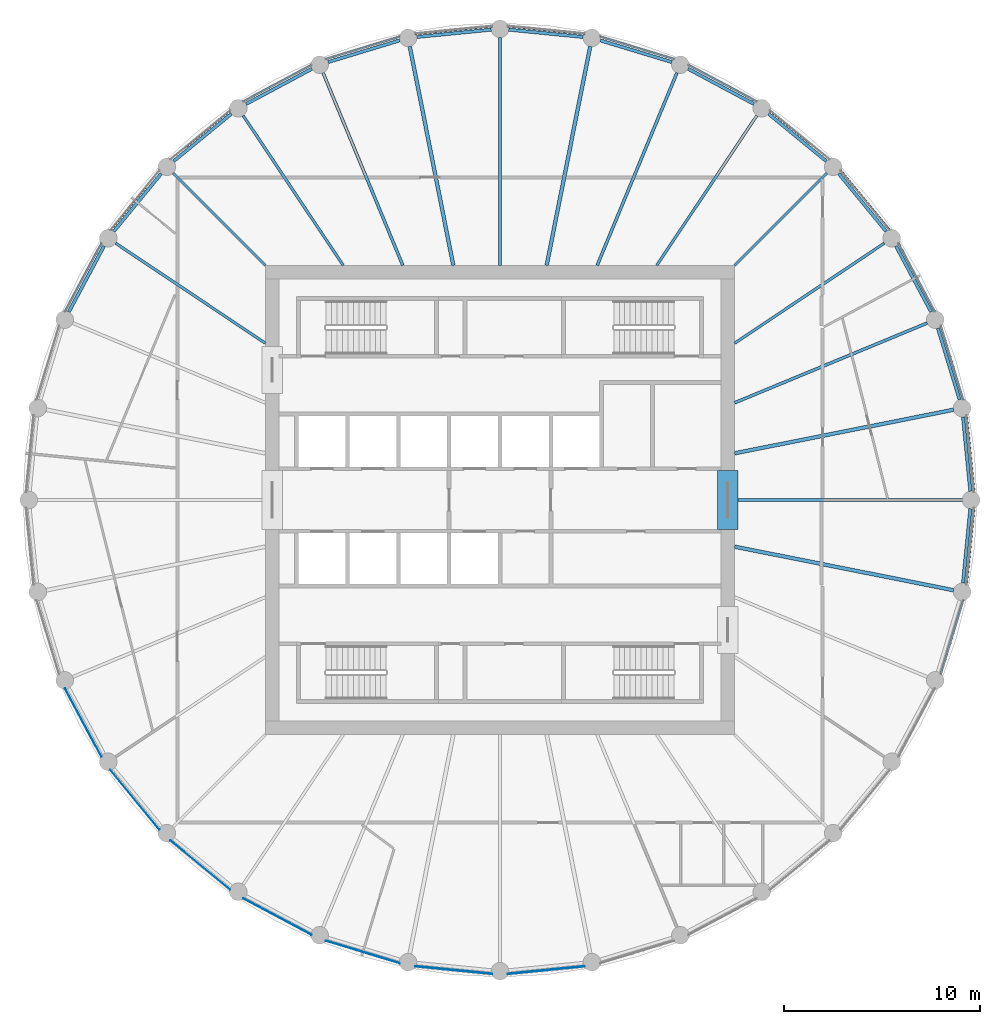
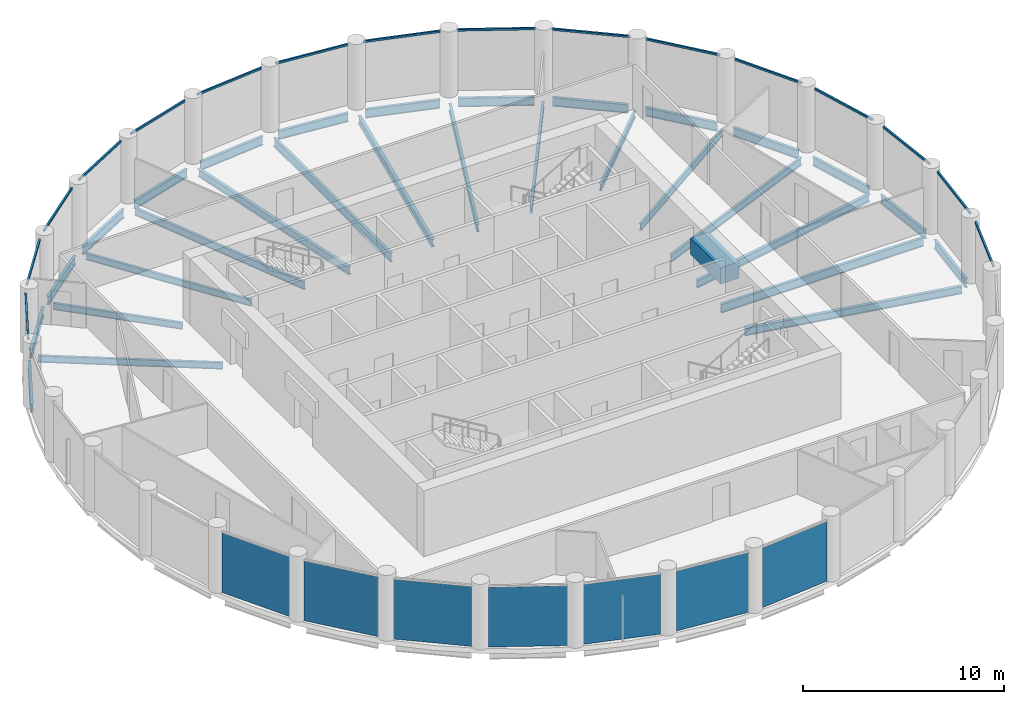
# One storey, part 2 of 7: 31 beams, 16 members, 7 plates, 23 elements without a shape of their own.
"""IFC4 building model written with IfcOpenShell, lengths in metres."""

import ifcopenshell
import ifcopenshell.guid

model = None  # the IFC model being written
_history = None  # IfcOwnerHistory: only IFC2X3 demands one
_inside = {}  # id of a spatial element -> (the spatial element, [elements in it])
_under = {}  # id of a project, library or spatial element -> (it, [spatial elements below it])
_declared = {}  # id of a project -> (the project, [libraries it declares])
_typed = {}  # id of a type object -> (the type object, [elements of that type])
_made_of = {}  # id of a material, layer set ... -> (it, [elements and type objects made of it])


def new_model(schema):
    """Start an empty IFC model of exactly this schema.

    Asked for "IFC4X3", IfcOpenShell would pick the latest addendum, in which some entities
    have other attributes; the version numbers below select the first issue.
    IFC2X3 requires an IfcOwnerHistory on every rooted entity: one is made here for all.
    """
    global model, _history
    if schema == "IFC4X3":
        model = ifcopenshell.file(schema_version=(4, 3, 0, 0))
    else:
        model = ifcopenshell.file(schema=schema)
    _inside.clear()
    _under.clear()
    _declared.clear()
    _typed.clear()
    _made_of.clear()
    _history = None
    if model.schema == "IFC2X3":
        org = make("IfcOrganization", Name="unknown")
        user = make(
            "IfcPersonAndOrganization",
            ThePerson=make("IfcPerson", FamilyName="unknown"),
            TheOrganization=org,
        )
        app = make(
            "IfcApplication",
            ApplicationDeveloper=org,
            Version="unknown",
            ApplicationFullName="unknown",
            ApplicationIdentifier="unknown",
        )
        _history = make(
            "IfcOwnerHistory",
            OwningUser=user,
            OwningApplication=app,
            ChangeAction="ADDED",
            CreationDate=0,
        )
    return model


def make(cls, **values):
    """One entity of the class cls with the attributes given. An attribute that is None is left unset."""
    return model.create_entity(
        cls, **{name: value for name, value in values.items() if value is not None}
    )


def rooted(cls, **values):
    """An entity with a GlobalId (a new one), such as an element, a storey or a relation."""
    return make(cls, GlobalId=ifcopenshell.guid.new(), OwnerHistory=_history, **values)


def si_unit(unit_type, name, prefix=None):
    """IfcSIUnit, for example si_unit("LENGTHUNIT", "METRE", prefix="MILLI")."""
    return make("IfcSIUnit", UnitType=unit_type, Prefix=prefix, Name=name)


def assignment(units):
    """IfcUnitAssignment: the units of a project."""
    return None if units is None else make("IfcUnitAssignment", Units=units)


def point(xyz):
    """IfcCartesianPoint."""
    return None if xyz is None else make("IfcCartesianPoint", Coordinates=xyz)


def direction(xyz):
    """IfcDirection."""
    return None if xyz is None else make("IfcDirection", DirectionRatios=xyz)


def frame(location, z_axis=None, x_axis=None):
    """IfcAxis2Placement3D, a coordinate frame: its origin and axes. An axis left out is left unset."""
    return make(
        "IfcAxis2Placement3D",
        Location=point(location),
        Axis=direction(z_axis),
        RefDirection=direction(x_axis),
    )


def frame_2d(location, x_axis=None):
    """IfcAxis2Placement2D, a coordinate frame in the plane: its origin and x axis."""
    return make(
        "IfcAxis2Placement2D", Location=point(location), RefDirection=direction(x_axis)
    )


def origin():
    """The frame at (0, 0, 0) with its axes left unset."""
    return frame((0.0, 0.0, 0.0))


def origin_2d():
    """The frame at (0, 0) in the plane with its x axis left unset."""
    return frame_2d((0.0, 0.0))


def place(relative_to, where):
    """IfcLocalPlacement: puts the frame where relative to a parent placement (None: the world)."""
    return make(
        "IfcLocalPlacement", PlacementRelTo=relative_to, RelativePlacement=where
    )


def context(
    kind, dimensions, precision=None, world=None, true_north=None, identifier=None
):
    """IfcGeometricRepresentationContext, for example the 3D "Model" context."""
    return make(
        "IfcGeometricRepresentationContext",
        ContextIdentifier=identifier,
        ContextType=kind,
        CoordinateSpaceDimension=dimensions,
        Precision=precision,
        WorldCoordinateSystem=world,
        TrueNorth=true_north,
    )


def subcontext(parent, identifier, kind, view, scale=None):
    """IfcGeometricRepresentationSubContext, for example "Body" below "Model"."""
    return make(
        "IfcGeometricRepresentationSubContext",
        ContextIdentifier=identifier,
        ContextType=kind,
        ParentContext=parent,
        TargetScale=scale,
        TargetView=view,
    )


def project(units=None, contexts=None):
    """IfcProject with its units and contexts."""
    return rooted(
        "IfcProject",
        Name="project",
        RepresentationContexts=contexts,
        UnitsInContext=assignment(units),
    )


def spatial(cls, under=None, at=None, **own):
    """A site, building, storey or space (cls), placed at a placement, below another one or the project."""
    s = rooted(cls, ObjectPlacement=at, **own)
    if under is not None:
        _under.setdefault(under.id(), (under, []))[1].append(s)
    return s


def profile(cls, at=None, kind="AREA", **sizes):
    """A parametric profile (cls). Its sizes go by their IFC names, for example OverallWidth=200.0."""
    return make(cls, ProfileType=kind, Position=at, **sizes)


def rectangle(**sizes):
    """IfcRectangleProfileDef."""
    return profile("IfcRectangleProfileDef", **sizes)


def i_section(**sizes):
    """IfcIShapeProfileDef."""
    return profile("IfcIShapeProfileDef", **sizes)


def extrude(swept, where, along, depth):
    """IfcExtrudedAreaSolid: the profile swept, set in the frame where, extruded along a direction by depth."""
    return make(
        "IfcExtrudedAreaSolid",
        SweptArea=swept,
        Position=where,
        ExtrudedDirection=direction(along),
        Depth=depth,
    )


def shape(context_of_items, identifier, shape_type, items):
    """IfcShapeRepresentation: the items that make up one representation, for example the "Body"."""
    return make(
        "IfcShapeRepresentation",
        ContextOfItems=context_of_items,
        RepresentationIdentifier=identifier,
        RepresentationType=shape_type,
        Items=items,
    )


def material(Name=None, Category=None):
    """IfcMaterial."""
    return make("IfcMaterial", Name=Name, Category=Category)


def layer(
    of_material, thickness, ventilated=None, Name=None, Category=None, Priority=None
):
    """IfcMaterialLayer: one layer of a wall or slab, of a material (None: an air gap)."""
    return make(
        "IfcMaterialLayer",
        Material=of_material,
        LayerThickness=thickness,
        IsVentilated=ventilated,
        Name=Name,
        Category=Category,
        Priority=Priority,
    )


def layer_set(layers, Name=None):
    """IfcMaterialLayerSet."""
    return make("IfcMaterialLayerSet", MaterialLayers=layers, LayerSetName=Name)


def material_profile(
    of_material, cross_section, Name=None, Category=None, Priority=None
):
    """IfcMaterialProfile: a cross section and its material."""
    return make(
        "IfcMaterialProfile",
        Name=Name,
        Material=of_material,
        Profile=cross_section,
        Priority=Priority,
        Category=Category,
    )


def profile_set(profiles, Name=None, composite=None):
    """IfcMaterialProfileSet."""
    return make(
        "IfcMaterialProfileSet",
        Name=Name,
        MaterialProfiles=profiles,
        CompositeProfile=composite,
    )


def made_of(thing, what):
    """Note that an element or type object is made of a material, layer set ...; save() writes the relation."""
    if what is not None:
        _made_of.setdefault(what.id(), (what, []))[1].append(thing)
    return thing


def type_object(cls, material=None, **own):
    """A type object (cls), such as IfcWallType, which elements share."""
    return made_of(rooted(cls, **own), material)


def element(
    cls,
    number,
    at=None,
    inside=None,
    cuts=None,
    type_object=None,
    material=None,
    context=None,
    identifier="Body",
    shape_type=None,
    held_by="IfcProductDefinitionShape",
    body=None,
    shapes=None,
    **own,
):
    """One element of the class cls, such as IfcWall. Its Tag is "e" and its number.

    at: its placement. inside: the storey or other place that contains it. cuts: it is an
    opening in that element (IfcRelVoidsElement). A single representation is given by context,
    identifier, shape_type and body (its items); several are given by shapes. held_by: the class
    of the entity that holds the representations. save() writes the other relations.
    """
    e = rooted(cls, Tag="e%d" % number, ObjectPlacement=at, **own)
    if body is not None:
        shapes = [shape(context, identifier, shape_type, body)]
    if shapes is not None:
        e.Representation = make(held_by, Representations=shapes)
    if inside is not None:
        _inside.setdefault(inside.id(), (inside, []))[1].append(e)
    if cuts is not None:
        rooted(
            "IfcRelVoidsElement", RelatingBuildingElement=cuts, RelatedOpeningElement=e
        )
    if type_object is not None:
        _typed.setdefault(type_object.id(), (type_object, []))[1].append(e)
    return made_of(e, material)


def aggregate(whole, parts):
    """IfcRelAggregates: a whole, such as a stair, and the parts it consists of."""
    return rooted("IfcRelAggregates", RelatingObject=whole, RelatedObjects=parts)


def save(model, path):
    """Write the relations noted so far, then the file.

    IfcRelAggregates (storeys below a building ...), IfcRelContainedInSpatialStructure (elements
    in a storey), IfcRelDefinesByType, IfcRelAssociatesMaterial and IfcRelDeclares: one each for
    every whole, place, type object, material and project.
    """
    for whole, parts in _under.values():
        aggregate(whole, parts)
    for where, things in _inside.values():
        rooted(
            "IfcRelContainedInSpatialStructure",
            RelatedElements=things,
            RelatingStructure=where,
        )
    for kind, things in _typed.values():
        rooted("IfcRelDefinesByType", RelatedObjects=things, RelatingType=kind)
    for what, things in _made_of.values():
        rooted("IfcRelAssociatesMaterial", RelatedObjects=things, RelatingMaterial=what)
    for by, libraries in _declared.values():
        rooted("IfcRelDeclares", RelatingContext=by, RelatedDefinitions=libraries)
    model.write(path)


model = new_model("IFC4")

# Units and contexts
model_context = context("Model", 3, precision=1e-05, world=origin(), true_north=direction((0.0, 1.0)))
body_context = subcontext(model_context, "Body", "Model", "MODEL_VIEW")
ifc_project = project(units=[si_unit("LENGTHUNIT", "METRE"), si_unit("AREAUNIT", "SQUARE_METRE"), si_unit("VOLUMEUNIT", "CUBIC_METRE"), si_unit("PLANEANGLEUNIT", "RADIAN"), si_unit("MASSUNIT", "GRAM", prefix="KILO")], contexts=[model_context])

# Site, building, storey
site_placement = place(None, origin())
site = spatial("IfcSite", under=ifc_project, at=site_placement, CompositionType="ELEMENT")
building_placement = place(site_placement, origin())
building = spatial("IfcBuilding", under=site, at=building_placement, Name="Corvane Civic Tower", CompositionType="ELEMENT")
storey_placement = place(building_placement, frame((0.0, 0.0, 275.0)))
storey = spatial("IfcBuildingStorey", under=building, at=storey_placement, Name="L65", CompositionType="ELEMENT", Elevation=275.0)

# Beams
ifc_material_1 = material(Name="Concrete C40/50", Category="concrete")
ifc_material_profile_1 = material_profile(ifc_material_1, rectangle(XDim=1.050048828125, YDim=1.0, at=origin_2d()), Name="COUPLING BEAM 1050X1000")
ifc_profile_set_1 = profile_set([ifc_material_profile_1], Name="Concrete C40/50")
beam_type_1 = type_object("IfcBeamType", Name="COUPLING BEAM COUPLING BEAM 1050X1000", PredefinedType="BEAM", material=ifc_profile_set_1)
beam_1_placement = place(storey_placement, frame((11.64990234375, -1.5, 2.60009765625), z_axis=(0.0, 1.0, 0.0), x_axis=(-1.0, 0.0, 0.0)))
element("IfcBeam", 1, at=beam_1_placement, inside=storey, type_object=beam_type_1, Name="BM-L65-cpl-CW-LE", PredefinedType="BEAM", context=body_context, shape_type="SweptSolid", body=[
    extrude(rectangle(XDim=1.050048828125, YDim=1.0, at=origin_2d()), origin(), (0.0, 0.0, 1.0), 3.0),
])
ifc_material_2 = material(Name="Steel ASTM A992 Gr 50", Category="steel")
ifc_material_profile_2 = material_profile(ifc_material_2, i_section(OverallWidth=0.165771484375, OverallDepth=0.5283203125, WebThickness=0.009765625, FlangeThickness=0.013671875, at=origin_2d()), Name="W21X50")
ifc_profile_set_2 = profile_set([ifc_material_profile_2], Name="Steel ASTM A992 Gr 50")
beam_type_2 = type_object("IfcBeamType", Name="EDGE BEAM W21X50", PredefinedType="BEAM", material=ifc_profile_set_2)
for number, where, z_axis, x_axis, name in (
    (2, (0.44775390625, 24.055908203125, -0.564208984375), (0.995187721162, -0.097986732007, 0.0), (0.097986732007, 0.995187721162, 0.0), "BM-L65-E01"),
    (3, (5.13232421875, 23.50634765625, -0.564208984375), (0.95692555902, -0.290333385085, 0.0), (0.290333385085, 0.95692555902, 0.0), "BM-L65-E02"),
):
    element("IfcBeam", number, at=place(storey_placement, frame(where, z_axis=z_axis, x_axis=x_axis)), inside=storey, type_object=beam_type_2, Name=name, PredefinedType="BEAM", context=body_context, shape_type="SweptSolid", body=[
        extrude(i_section(OverallWidth=0.165771484375, OverallDepth=0.5283203125, WebThickness=0.009765625, FlangeThickness=0.013671875, at=origin_2d()), origin(), (0.0, 0.0, 1.0), 3.824462890625),
    ])
beam_2_placement = place(storey_placement, frame((9.61962890625, 22.05322265625, -0.564208984375), z_axis=(0.881914279413, -0.471409804487, 0.0), x_axis=(0.471409804487, 0.881914279413, 0.0)))
element("IfcBeam", 4, at=beam_2_placement, inside=storey, type_object=beam_type_2, Name="BM-L65-E03", PredefinedType="BEAM", context=body_context, shape_type="SweptSolid", body=[
    extrude(i_section(OverallWidth=0.165771484375, OverallDepth=0.5283203125, WebThickness=0.009765625, FlangeThickness=0.013671875, at=origin_2d()), origin(), (0.0, 0.0, 1.0), 3.82421875),
])
for number, where, z_axis, x_axis, name in (
    (5, (13.737060546875, 19.7529296875, -0.564208984375), (0.772997914867, -0.634408562057, 0.0), (0.634408562057, 0.772997914867, 0.0), "BM-L65-E04"),
    (6, (17.32666015625, 16.693359375, -0.564208984375), (0.634408562057, -0.772997914867, 0.0), (0.772997914867, 0.634408562057, 0.0), "BM-L65-E05"),
):
    element("IfcBeam", number, at=place(storey_placement, frame(where, z_axis=z_axis, x_axis=x_axis)), inside=storey, type_object=beam_type_2, Name=name, PredefinedType="BEAM", context=body_context, shape_type="SweptSolid", body=[
        extrude(i_section(OverallWidth=0.165771484375, OverallDepth=0.5283203125, WebThickness=0.009765625, FlangeThickness=0.013671875, at=origin_2d()), origin(), (0.0, 0.0, 1.0), 3.824462890625),
    ])
beam_3_placement = place(storey_placement, frame((20.25048828125, 12.9921875, -0.564208984375), z_axis=(0.471409804487, -0.881914279413, 0.0), x_axis=(0.881914279413, 0.471409804487, 0.0)))
element("IfcBeam", 7, at=beam_3_placement, inside=storey, type_object=beam_type_2, Name="BM-L65-E06", PredefinedType="BEAM", context=body_context, shape_type="SweptSolid", body=[
    extrude(i_section(OverallWidth=0.165771484375, OverallDepth=0.5283203125, WebThickness=0.009765625, FlangeThickness=0.013671875, at=origin_2d()), origin(), (0.0, 0.0, 1.0), 3.82421875),
])
for number, where, z_axis, x_axis, name in (
    (8, (22.39599609375, 8.7919921875, -0.564208984375), (0.290333385085, -0.95692555902, 0.0), (0.95692555902, 0.290333385085, 0.0), "BM-L65-E07"),
    (9, (23.68115234375, 4.25390625, -0.564208984375), (0.097986732007, -0.995187721162, 0.0), (0.995187721162, 0.097986732007, 0.0), "BM-L65-E08"),
    (10, (24.055908203125, -0.44775390625, -0.564208984375), (-0.097986732007, -0.995187721162, 0.0), (0.995187721162, -0.097986732007, 0.0), "BM-L65-E09"),
):
    element("IfcBeam", number, at=place(storey_placement, frame(where, z_axis=z_axis, x_axis=x_axis)), inside=storey, type_object=beam_type_2, Name=name, PredefinedType="BEAM", context=body_context, shape_type="SweptSolid", body=[
        extrude(i_section(OverallWidth=0.165771484375, OverallDepth=0.5283203125, WebThickness=0.009765625, FlangeThickness=0.013671875, at=origin_2d()), origin(), (0.0, 0.0, 1.0), 3.824462890625),
    ])
beam_4_placement = place(storey_placement, frame((-22.05322265625, 9.61962890625, -0.564208984375), z_axis=(0.471409804487, 0.881914279413, 0.0), x_axis=(-0.881914279413, 0.471409804487, 0.0)))
element("IfcBeam", 11, at=beam_4_placement, inside=storey, type_object=beam_type_2, Name="BM-L65-E27", PredefinedType="BEAM", context=body_context, shape_type="SweptSolid", body=[
    extrude(i_section(OverallWidth=0.165771484375, OverallDepth=0.5283203125, WebThickness=0.009765625, FlangeThickness=0.013671875, at=origin_2d()), origin(), (0.0, 0.0, 1.0), 3.82421875),
])
for number, where, z_axis, x_axis, name in (
    (12, (-19.7529296875, 13.737060546875, -0.564208984375), (0.634408562057, 0.772997914867, 0.0), (-0.772997914867, 0.634408562057, 0.0), "BM-L65-E28"),
    (13, (-16.693359375, 17.32666015625, -0.564208984375), (0.772997914867, 0.634408562057, 0.0), (-0.634408562057, 0.772997914867, 0.0), "BM-L65-E29"),
):
    element("IfcBeam", number, at=place(storey_placement, frame(where, z_axis=z_axis, x_axis=x_axis)), inside=storey, type_object=beam_type_2, Name=name, PredefinedType="BEAM", context=body_context, shape_type="SweptSolid", body=[
        extrude(i_section(OverallWidth=0.165771484375, OverallDepth=0.5283203125, WebThickness=0.009765625, FlangeThickness=0.013671875, at=origin_2d()), origin(), (0.0, 0.0, 1.0), 3.824462890625),
    ])
beam_5_placement = place(storey_placement, frame((-12.9921875, 20.25048828125, -0.564208984375), z_axis=(0.881914279413, 0.471409804487, 0.0), x_axis=(-0.471409804487, 0.881914279413, 0.0)))
element("IfcBeam", 14, at=beam_5_placement, inside=storey, type_object=beam_type_2, Name="BM-L65-E30", PredefinedType="BEAM", context=body_context, shape_type="SweptSolid", body=[
    extrude(i_section(OverallWidth=0.165771484375, OverallDepth=0.5283203125, WebThickness=0.009765625, FlangeThickness=0.013671875, at=origin_2d()), origin(), (0.0, 0.0, 1.0), 3.82421875),
])
for number, where, z_axis, x_axis, name in (
    (15, (-8.7919921875, 22.39599609375, -0.564208984375), (0.95692555902, 0.290333385085, 0.0), (-0.290333385085, 0.95692555902, 0.0), "BM-L65-E31"),
    (16, (-4.25390625, 23.68115234375, -0.564208984375), (0.995187721162, 0.097986732007, 0.0), (-0.097986732007, 0.995187721162, 0.0), "BM-L65-E32"),
):
    element("IfcBeam", number, at=place(storey_placement, frame(where, z_axis=z_axis, x_axis=x_axis)), inside=storey, type_object=beam_type_2, Name=name, PredefinedType="BEAM", context=body_context, shape_type="SweptSolid", body=[
        extrude(i_section(OverallWidth=0.165771484375, OverallDepth=0.5283203125, WebThickness=0.009765625, FlangeThickness=0.013671875, at=origin_2d()), origin(), (0.0, 0.0, 1.0), 3.824462890625),
    ])
ifc_material_3 = material(Name="Steel ASTM A992 Gr 50", Category="steel")
ifc_material_profile_3 = material_profile(ifc_material_3, i_section(OverallWidth=0.140380859375, OverallDepth=0.40380859375, WebThickness=0.007080078125, FlangeThickness=0.01123046875, at=origin_2d()), Name="W16X31")
ifc_profile_set_3 = profile_set([ifc_material_profile_3], Name="Steel ASTM A992 Gr 50")
beam_type_3 = type_object("IfcBeamType", Name="FLOOR GIRDER W16X31", PredefinedType="BEAM", material=ifc_profile_set_3)
beam_6_placement = place(storey_placement, frame((8.01806640625, 12.0, -0.501953125), z_axis=(0.555567816355, 0.831471227061, 0.0), x_axis=(-0.831471227061, 0.555567816355, 0.0)))
element("IfcBeam", 17, at=beam_6_placement, inside=storey, type_object=beam_type_3, Name="BM-L65-G04", PredefinedType="BEAM", context=body_context, shape_type="SweptSolid", body=[
    extrude(i_section(OverallWidth=0.140380859375, OverallDepth=0.40380859375, WebThickness=0.007080078125, FlangeThickness=0.01123046875, at=origin_2d()), origin(), (0.0, 0.0, 1.0), 9.2177734375),
])
beam_7_placement = place(storey_placement, frame((12.0, 12.0, -0.501953125), z_axis=(0.707106781187, 0.707106781187, 0.0), x_axis=(-0.707106781187, 0.707106781187, 0.0)))
element("IfcBeam", 18, at=beam_7_placement, inside=storey, type_object=beam_type_3, Name="BM-L65-G05", PredefinedType="BEAM", context=body_context, shape_type="SweptSolid", body=[
    extrude(i_section(OverallWidth=0.140380859375, OverallDepth=0.40380859375, WebThickness=0.007080078125, FlangeThickness=0.01123046875, at=origin_2d()), origin(), (0.0, 0.0, 1.0), 6.679443359375),
])
for number, where, z_axis, x_axis, name in (
    (19, (12.0, 8.01806640625, -0.501953125), (0.831471227061, 0.555567816355, 0.0), (-0.555567816355, 0.831471227061, 0.0), "BM-L65-G06"),
    (20, (-12.0, 8.01806640625, -0.501953125), (-0.831471227061, 0.555567816355, 0.0), (-0.555567816355, -0.831471227061, 0.0), "BM-L65-G28"),
):
    element("IfcBeam", number, at=place(storey_placement, frame(where, z_axis=z_axis, x_axis=x_axis)), inside=storey, type_object=beam_type_3, Name=name, PredefinedType="BEAM", context=body_context, shape_type="SweptSolid", body=[
        extrude(i_section(OverallWidth=0.140380859375, OverallDepth=0.40380859375, WebThickness=0.007080078125, FlangeThickness=0.01123046875, at=origin_2d()), origin(), (0.0, 0.0, 1.0), 9.2177734375),
    ])
beam_8_placement = place(storey_placement, frame((-12.0, 12.0, -0.501953125), z_axis=(-0.707106781187, 0.707106781187, 0.0), x_axis=(-0.707106781187, -0.707106781187, 0.0)))
element("IfcBeam", 21, at=beam_8_placement, inside=storey, type_object=beam_type_3, Name="BM-L65-G29", PredefinedType="BEAM", context=body_context, shape_type="SweptSolid", body=[
    extrude(i_section(OverallWidth=0.140380859375, OverallDepth=0.40380859375, WebThickness=0.007080078125, FlangeThickness=0.01123046875, at=origin_2d()), origin(), (0.0, 0.0, 1.0), 6.679443359375),
])
beam_9_placement = place(storey_placement, frame((-8.01806640625, 12.0, -0.501953125), z_axis=(-0.555567816355, 0.831471227061, 0.0), x_axis=(-0.831471227061, -0.555567816355, 0.0)))
element("IfcBeam", 22, at=beam_9_placement, inside=storey, type_object=beam_type_3, Name="BM-L65-G30", PredefinedType="BEAM", context=body_context, shape_type="SweptSolid", body=[
    extrude(i_section(OverallWidth=0.140380859375, OverallDepth=0.40380859375, WebThickness=0.007080078125, FlangeThickness=0.01123046875, at=origin_2d()), origin(), (0.0, 0.0, 1.0), 9.2177734375),
])
ifc_material_4 = material(Name="Steel ASTM A992 Gr 50", Category="steel")
ifc_material_profile_4 = material_profile(ifc_material_4, i_section(OverallWidth=0.15283203125, OverallDepth=0.45458984375, WebThickness=0.008056640625, FlangeThickness=0.013427734375, at=origin_2d()), Name="W18X40")
ifc_profile_set_4 = profile_set([ifc_material_profile_4], Name="Steel ASTM A992 Gr 50")
beam_type_4 = type_object("IfcBeamType", Name="FLOOR GIRDER W18X40", PredefinedType="BEAM", material=ifc_profile_set_4)
for number, where, z_axis, x_axis, name in (
    (23, (4.970458984375, 12.0, -0.52734375), (0.382694257331, 0.923875048589, 0.0), (-0.923875048589, 0.382694257331, 0.0), "BM-L65-G03"),
    (24, (12.0, 4.970458984375, -0.52734375), (0.923875048589, 0.382694257331, 0.0), (-0.382694257331, 0.923875048589, 0.0), "BM-L65-G07"),
    (25, (-4.970458984375, 12.0, -0.52734375), (-0.382694257331, 0.923875048589, 0.0), (-0.923875048589, -0.382694257331, 0.0), "BM-L65-G31"),
):
    element("IfcBeam", number, at=place(storey_placement, frame(where, z_axis=z_axis, x_axis=x_axis)), inside=storey, type_object=beam_type_4, Name=name, PredefinedType="BEAM", context=body_context, shape_type="SweptSolid", body=[
        extrude(i_section(OverallWidth=0.15283203125, OverallDepth=0.45458984375, WebThickness=0.008056640625, FlangeThickness=0.013427734375, at=origin_2d()), origin(), (0.0, 0.0, 1.0), 10.661376953125),
    ])
ifc_material_5 = material(Name="Steel ASTM A992 Gr 50", Category="steel")
ifc_material_profile_5 = material_profile(ifc_material_5, i_section(OverallWidth=0.1904296875, OverallDepth=0.457275390625, WebThickness=0.009033203125, FlangeThickness=0.014404296875, at=origin_2d()), Name="W18X50")
ifc_profile_set_5 = profile_set([ifc_material_profile_5], Name="Steel ASTM A992 Gr 50")
beam_type_5 = type_object("IfcBeamType", Name="FLOOR GIRDER W18X50", PredefinedType="BEAM", material=ifc_profile_set_5)
for number, where, z_axis, x_axis, name in (
    (26, (2.386962890625, 12.0, -0.528564453125), (0.195079532402, 0.980787426529, 0.0), (-0.980787426529, 0.195079532402, 0.0), "BM-L65-G02"),
    (27, (12.0, 2.386962890625, -0.528564453125), (0.980787426529, 0.195079532402, 0.0), (-0.195079532402, 0.980787426529, 0.0), "BM-L65-G08"),
    (28, (12.0, -2.386962890625, -0.528564453125), (0.980787426529, -0.195079532402, 0.0), (0.195079532402, 0.980787426529, 0.0), "BM-L65-G10"),
    (29, (-2.386962890625, 12.0, -0.528564453125), (-0.195079532402, 0.980787426529, 0.0), (-0.980787426529, -0.195079532402, 0.0), "BM-L65-G32"),
):
    element("IfcBeam", number, at=place(storey_placement, frame(where, z_axis=z_axis, x_axis=x_axis)), inside=storey, type_object=beam_type_5, Name=name, PredefinedType="BEAM", context=body_context, shape_type="SweptSolid", body=[
        extrude(i_section(OverallWidth=0.1904296875, OverallDepth=0.457275390625, WebThickness=0.009033203125, FlangeThickness=0.014404296875, at=origin_2d()), origin(), (0.0, 0.0, 1.0), 11.414794921875),
    ])
ifc_material_6 = material(Name="Steel ASTM A992 Gr 50", Category="steel")
ifc_material_profile_6 = material_profile(ifc_material_6, i_section(OverallWidth=0.165771484375, OverallDepth=0.5283203125, WebThickness=0.009765625, FlangeThickness=0.013671875, at=origin_2d()), Name="W21X50")
ifc_profile_set_6 = profile_set([ifc_material_profile_6], Name="Steel ASTM A992 Gr 50")
beam_type_6 = type_object("IfcBeamType", Name="FLOOR GIRDER W21X50", PredefinedType="BEAM", material=ifc_profile_set_6)
for number, where, z_axis, x_axis, name in (
    (30, (0.0, 12.0, -0.564208984375), (0.0, 1.0, 0.0), (-1.0, 0.0, 0.0), "BM-L65-G01"),
    (31, (12.0, 0.0, -0.564208984375), (1.0, 0.0, 0.0), (0.0, 1.0, 0.0), "BM-L65-G09"),
):
    element("IfcBeam", number, at=place(storey_placement, frame(where, z_axis=z_axis, x_axis=x_axis)), inside=storey, type_object=beam_type_6, Name=name, PredefinedType="BEAM", context=body_context, shape_type="SweptSolid", body=[
        extrude(i_section(OverallWidth=0.165771484375, OverallDepth=0.5283203125, WebThickness=0.009765625, FlangeThickness=0.013671875, at=origin_2d()), origin(), (0.0, 0.0, 1.0), 11.64990234375),
    ])

# Curtain wall, member
ifc_material_7 = material(Name="Anodised aluminium bronze", Category="aluminium")
curtain_wall_type = type_object("IfcCurtainWallType", Name="TOWER CW-T3 STICK CURTAIN WALL", PredefinedType="NOTDEFINED", material=ifc_material_7)
curtain_wall_1_placement = place(storey_placement, origin())
curtain_wall_1 = element("IfcCurtainWall", 32, at=curtain_wall_1_placement, inside=storey, type_object=curtain_wall_type, Name="Curtain wall CW-T3 L65 bay 01", PredefinedType="NOTDEFINED")
ifc_material_8 = material(Name="Anodised aluminium bronze", Category="aluminium")
ifc_material_profile_7 = material_profile(ifc_material_8, rectangle(XDim=0.10009765625, YDim=0.1201171875, at=origin_2d()), Name="TOWER CW-T3 TRANSOM 100x120")
ifc_profile_set_7 = profile_set([ifc_material_profile_7], Name="Anodised aluminium bronze")
member_type = type_object("IfcMemberType", Name="TOWER CW-T3 TRANSOM 100x120", PredefinedType="USERDEFINED", material=ifc_profile_set_7)
member_1_placement = place(storey_placement, frame((0.3984375, 24.24072265625, 3.68994140625), z_axis=(0.995186866683, -0.097995409999, 0.0), x_axis=(0.097995409999, 0.995186866683, 0.0)))
member_1 = element("IfcMember", 33, at=member_1_placement, type_object=member_type, Name="Transom CW-T3 L65 01.1", ObjectType="TRANSOM", PredefinedType="USERDEFINED", context=body_context, shape_type="SweptSolid", body=[
    extrude(rectangle(XDim=0.10009765625, YDim=0.1201171875, at=origin_2d()), origin(), (0.0, 0.0, 1.0), 3.958740234375),
])
aggregate(curtain_wall_1, [member_1])

curtain_wall_2_placement = place(storey_placement, origin())
curtain_wall_2 = element("IfcCurtainWall", 34, at=curtain_wall_2_placement, inside=storey, type_object=curtain_wall_type, Name="Curtain wall CW-T3 L65 bay 02", PredefinedType="NOTDEFINED")
member_2_placement = place(storey_placement, frame((5.119873046875, 23.697265625, 3.68994140625), z_axis=(0.956946054205, -0.290265825309, 0.0), x_axis=(0.290265825309, 0.956946054205, 0.0)))
member_2 = element("IfcMember", 35, at=member_2_placement, type_object=member_type, Name="Transom CW-T3 L65 02.1", ObjectType="TRANSOM", PredefinedType="USERDEFINED", context=body_context, shape_type="SweptSolid", body=[
    extrude(rectangle(XDim=0.10009765625, YDim=0.1201171875, at=origin_2d()), origin(), (0.0, 0.0, 1.0), 3.958984375),
])
aggregate(curtain_wall_2, [member_2])

curtain_wall_3_placement = place(storey_placement, origin())
curtain_wall_3 = element("IfcCurtainWall", 36, at=curtain_wall_3_placement, inside=storey, type_object=curtain_wall_type, Name="Curtain wall CW-T3 L65 bay 03", PredefinedType="NOTDEFINED")
member_3_placement = place(storey_placement, frame((9.644775390625, 22.2431640625, 3.68994140625), z_axis=(0.881883040816, -0.471468241052, 0.0), x_axis=(0.471468241052, 0.881883040816, 0.0)))
member_3 = element("IfcMember", 37, at=member_3_placement, type_object=member_type, Name="Transom CW-T3 L65 03.1", ObjectType="TRANSOM", PredefinedType="USERDEFINED", context=body_context, shape_type="SweptSolid", body=[
    extrude(rectangle(XDim=0.10009765625, YDim=0.1201171875, at=origin_2d()), origin(), (0.0, 0.0, 1.0), 3.958740234375),
])
aggregate(curtain_wall_3, [member_3])

curtain_wall_4_placement = place(storey_placement, origin())
curtain_wall_4 = element("IfcCurtainWall", 38, at=curtain_wall_4_placement, inside=storey, type_object=curtain_wall_type, Name="Curtain wall CW-T3 L65 bay 04", PredefinedType="NOTDEFINED")
member_4_placement = place(storey_placement, frame((13.798828125, 19.93408203125, 3.68994140625), z_axis=(0.772991943051, -0.634415838373, 0.0), x_axis=(0.634415838373, 0.772991943051, 0.0)))
member_4 = element("IfcMember", 39, at=member_4_placement, type_object=member_type, Name="Transom CW-T3 L65 04.1", ObjectType="TRANSOM", PredefinedType="USERDEFINED", context=body_context, shape_type="SweptSolid", body=[
    extrude(rectangle(XDim=0.10009765625, YDim=0.1201171875, at=origin_2d()), origin(), (0.0, 0.0, 1.0), 3.958740234375),
])
aggregate(curtain_wall_4, [member_4])

curtain_wall_5_placement = place(storey_placement, origin())
curtain_wall_5 = element("IfcCurtainWall", 40, at=curtain_wall_5_placement, inside=storey, type_object=curtain_wall_type, Name="Curtain wall CW-T3 L65 bay 05", PredefinedType="NOTDEFINED")
member_5_placement = place(storey_placement, frame((17.422607421875, 16.85888671875, 3.68994140625), z_axis=(0.634415838373, -0.772991943051, 0.0), x_axis=(0.772991943051, 0.634415838373, 0.0)))
member_5 = element("IfcMember", 41, at=member_5_placement, type_object=member_type, Name="Transom CW-T3 L65 05.1", ObjectType="TRANSOM", PredefinedType="USERDEFINED", context=body_context, shape_type="SweptSolid", body=[
    extrude(rectangle(XDim=0.10009765625, YDim=0.1201171875, at=origin_2d()), origin(), (0.0, 0.0, 1.0), 3.958740234375),
])
aggregate(curtain_wall_5, [member_5])

curtain_wall_6_placement = place(storey_placement, origin())
curtain_wall_6 = element("IfcCurtainWall", 42, at=curtain_wall_6_placement, inside=storey, type_object=curtain_wall_type, Name="Curtain wall CW-T3 L65 bay 06", PredefinedType="NOTDEFINED")
member_6_placement = place(storey_placement, frame((20.376708984375, 13.135986328125, 3.68994140625), z_axis=(0.471468241052, -0.881883040816, 0.0), x_axis=(0.881883040816, 0.471468241052, 0.0)))
member_6 = element("IfcMember", 43, at=member_6_placement, type_object=member_type, Name="Transom CW-T3 L65 06.1", ObjectType="TRANSOM", PredefinedType="USERDEFINED", context=body_context, shape_type="SweptSolid", body=[
    extrude(rectangle(XDim=0.10009765625, YDim=0.1201171875, at=origin_2d()), origin(), (0.0, 0.0, 1.0), 3.958740234375),
])
aggregate(curtain_wall_6, [member_6])

curtain_wall_7_placement = place(storey_placement, origin())
curtain_wall_7 = element("IfcCurtainWall", 44, at=curtain_wall_7_placement, inside=storey, type_object=curtain_wall_type, Name="Curtain wall CW-T3 L65 bay 07", PredefinedType="NOTDEFINED")
member_7_placement = place(storey_placement, frame((22.548095703125, 8.908447265625, 3.68994140625), z_axis=(0.290265825309, -0.956946054205, 0.0), x_axis=(0.956946054205, 0.290265825309, 0.0)))
member_7 = element("IfcMember", 45, at=member_7_placement, type_object=member_type, Name="Transom CW-T3 L65 07.1", ObjectType="TRANSOM", PredefinedType="USERDEFINED", context=body_context, shape_type="SweptSolid", body=[
    extrude(rectangle(XDim=0.10009765625, YDim=0.1201171875, at=origin_2d()), origin(), (0.0, 0.0, 1.0), 3.958984375),
])
aggregate(curtain_wall_7, [member_7])

curtain_wall_8_placement = place(storey_placement, origin())
curtain_wall_8 = element("IfcCurtainWall", 46, at=curtain_wall_8_placement, inside=storey, type_object=curtain_wall_type, Name="Curtain wall CW-T3 L65 bay 08", PredefinedType="NOTDEFINED")
member_8_placement = place(storey_placement, frame((23.852783203125, 4.338134765625, 3.68994140625), z_axis=(0.097995409999, -0.995186866683, 0.0), x_axis=(0.995186866683, 0.097995409999, 0.0)))
member_8 = element("IfcMember", 47, at=member_8_placement, type_object=member_type, Name="Transom CW-T3 L65 08.1", ObjectType="TRANSOM", PredefinedType="USERDEFINED", context=body_context, shape_type="SweptSolid", body=[
    extrude(rectangle(XDim=0.10009765625, YDim=0.1201171875, at=origin_2d()), origin(), (0.0, 0.0, 1.0), 3.958740234375),
])
aggregate(curtain_wall_8, [member_8])

curtain_wall_9_placement = place(storey_placement, origin())
curtain_wall_9 = element("IfcCurtainWall", 48, at=curtain_wall_9_placement, inside=storey, type_object=curtain_wall_type, Name="Curtain wall CW-T3 L65 bay 09", PredefinedType="NOTDEFINED")
member_9_placement = place(storey_placement, frame((24.24072265625, -0.3984375, 3.68994140625), z_axis=(-0.097995409999, -0.995186866683, 0.0), x_axis=(0.995186866683, -0.097995409999, 0.0)))
member_9 = element("IfcMember", 49, at=member_9_placement, type_object=member_type, Name="Transom CW-T3 L65 09.1", ObjectType="TRANSOM", PredefinedType="USERDEFINED", context=body_context, shape_type="SweptSolid", body=[
    extrude(rectangle(XDim=0.10009765625, YDim=0.1201171875, at=origin_2d()), origin(), (0.0, 0.0, 1.0), 3.958740234375),
])
aggregate(curtain_wall_9, [member_9])

curtain_wall_10_placement = place(storey_placement, origin())
curtain_wall_10 = element("IfcCurtainWall", 50, at=curtain_wall_10_placement, inside=storey, type_object=curtain_wall_type, Name="Curtain wall CW-T3 L65 bay 10", PredefinedType="NOTDEFINED")
member_10_placement = place(storey_placement, frame((23.697265625, -5.119873046875, 3.68994140625), z_axis=(-0.290265825309, -0.956946054205, 0.0), x_axis=(0.956946054205, -0.290265825309, 0.0)))
member_10 = element("IfcMember", 51, at=member_10_placement, type_object=member_type, Name="Transom CW-T3 L65 10.1", ObjectType="TRANSOM", PredefinedType="USERDEFINED", context=body_context, shape_type="SweptSolid", body=[
    extrude(rectangle(XDim=0.10009765625, YDim=0.1201171875, at=origin_2d()), origin(), (0.0, 0.0, 1.0), 3.958984375),
])
aggregate(curtain_wall_10, [member_10])

curtain_wall_11_placement = place(storey_placement, origin())
curtain_wall_11 = element("IfcCurtainWall", 52, at=curtain_wall_11_placement, inside=storey, type_object=curtain_wall_type, Name="Curtain wall CW-T3 L65 bay 27", PredefinedType="NOTDEFINED")
member_11_placement = place(storey_placement, frame((-22.2431640625, 9.644775390625, 3.68994140625), z_axis=(0.471468241052, 0.881883040816, 0.0), x_axis=(-0.881883040816, 0.471468241052, 0.0)))
member_11 = element("IfcMember", 53, at=member_11_placement, type_object=member_type, Name="Transom CW-T3 L65 27.1", ObjectType="TRANSOM", PredefinedType="USERDEFINED", context=body_context, shape_type="SweptSolid", body=[
    extrude(rectangle(XDim=0.10009765625, YDim=0.1201171875, at=origin_2d()), origin(), (0.0, 0.0, 1.0), 3.958740234375),
])
aggregate(curtain_wall_11, [member_11])

curtain_wall_12_placement = place(storey_placement, origin())
curtain_wall_12 = element("IfcCurtainWall", 54, at=curtain_wall_12_placement, inside=storey, type_object=curtain_wall_type, Name="Curtain wall CW-T3 L65 bay 28", PredefinedType="NOTDEFINED")
member_12_placement = place(storey_placement, frame((-19.93408203125, 13.798828125, 3.68994140625), z_axis=(0.634415838373, 0.772991943051, 0.0), x_axis=(-0.772991943051, 0.634415838373, 0.0)))
member_12 = element("IfcMember", 55, at=member_12_placement, type_object=member_type, Name="Transom CW-T3 L65 28.1", ObjectType="TRANSOM", PredefinedType="USERDEFINED", context=body_context, shape_type="SweptSolid", body=[
    extrude(rectangle(XDim=0.10009765625, YDim=0.1201171875, at=origin_2d()), origin(), (0.0, 0.0, 1.0), 3.958740234375),
])
aggregate(curtain_wall_12, [member_12])

curtain_wall_13_placement = place(storey_placement, origin())
curtain_wall_13 = element("IfcCurtainWall", 56, at=curtain_wall_13_placement, inside=storey, type_object=curtain_wall_type, Name="Curtain wall CW-T3 L65 bay 29", PredefinedType="NOTDEFINED")
member_13_placement = place(storey_placement, frame((-16.85888671875, 17.422607421875, 3.68994140625), z_axis=(0.772991943051, 0.634415838373, 0.0), x_axis=(-0.634415838373, 0.772991943051, 0.0)))
member_13 = element("IfcMember", 57, at=member_13_placement, type_object=member_type, Name="Transom CW-T3 L65 29.1", ObjectType="TRANSOM", PredefinedType="USERDEFINED", context=body_context, shape_type="SweptSolid", body=[
    extrude(rectangle(XDim=0.10009765625, YDim=0.1201171875, at=origin_2d()), origin(), (0.0, 0.0, 1.0), 3.958740234375),
])
aggregate(curtain_wall_13, [member_13])

curtain_wall_14_placement = place(storey_placement, origin())
curtain_wall_14 = element("IfcCurtainWall", 58, at=curtain_wall_14_placement, inside=storey, type_object=curtain_wall_type, Name="Curtain wall CW-T3 L65 bay 30", PredefinedType="NOTDEFINED")
member_14_placement = place(storey_placement, frame((-13.135986328125, 20.376708984375, 3.68994140625), z_axis=(0.881883040816, 0.471468241052, 0.0), x_axis=(-0.471468241052, 0.881883040816, 0.0)))
member_14 = element("IfcMember", 59, at=member_14_placement, type_object=member_type, Name="Transom CW-T3 L65 30.1", ObjectType="TRANSOM", PredefinedType="USERDEFINED", context=body_context, shape_type="SweptSolid", body=[
    extrude(rectangle(XDim=0.10009765625, YDim=0.1201171875, at=origin_2d()), origin(), (0.0, 0.0, 1.0), 3.958740234375),
])
aggregate(curtain_wall_14, [member_14])

curtain_wall_15_placement = place(storey_placement, origin())
curtain_wall_15 = element("IfcCurtainWall", 60, at=curtain_wall_15_placement, inside=storey, type_object=curtain_wall_type, Name="Curtain wall CW-T3 L65 bay 31", PredefinedType="NOTDEFINED")
member_15_placement = place(storey_placement, frame((-8.908447265625, 22.548095703125, 3.68994140625), z_axis=(0.956946054205, 0.290265825309, 0.0), x_axis=(-0.290265825309, 0.956946054205, 0.0)))
member_15 = element("IfcMember", 61, at=member_15_placement, type_object=member_type, Name="Transom CW-T3 L65 31.1", ObjectType="TRANSOM", PredefinedType="USERDEFINED", context=body_context, shape_type="SweptSolid", body=[
    extrude(rectangle(XDim=0.10009765625, YDim=0.1201171875, at=origin_2d()), origin(), (0.0, 0.0, 1.0), 3.958984375),
])
aggregate(curtain_wall_15, [member_15])

curtain_wall_16_placement = place(storey_placement, origin())
curtain_wall_16 = element("IfcCurtainWall", 62, at=curtain_wall_16_placement, inside=storey, type_object=curtain_wall_type, Name="Curtain wall CW-T3 L65 bay 32", PredefinedType="NOTDEFINED")
member_16_placement = place(storey_placement, frame((-4.338134765625, 23.852783203125, 3.68994140625), z_axis=(0.995186866683, 0.097995409999, 0.0), x_axis=(-0.097995409999, 0.995186866683, 0.0)))
member_16 = element("IfcMember", 63, at=member_16_placement, type_object=member_type, Name="Transom CW-T3 L65 32.1", ObjectType="TRANSOM", PredefinedType="USERDEFINED", context=body_context, shape_type="SweptSolid", body=[
    extrude(rectangle(XDim=0.10009765625, YDim=0.1201171875, at=origin_2d()), origin(), (0.0, 0.0, 1.0), 3.958740234375),
])
aggregate(curtain_wall_16, [member_16])

# Curtain wall, plate
curtain_wall_17_placement = place(storey_placement, origin())
curtain_wall_17 = element("IfcCurtainWall", 64, at=curtain_wall_17_placement, inside=storey, type_object=curtain_wall_type, Name="Curtain wall CW-T3 L65 bay 16", PredefinedType="NOTDEFINED")
ifc_material_9 = material(Name="Tinted glass", Category="glass")
ifc_layer = layer(ifc_material_9, 0.028076171875)
ifc_layer_set = layer_set([ifc_layer], Name="Tinted glass")
plate_type = type_object("IfcPlateType", Name="TOWER CW-T3 PANEL IGU28", PredefinedType="CURTAIN_PANEL", material=ifc_layer_set)
plate_1_placement = place(storey_placement, frame((2.368408203125, -24.046875, 0.0), z_axis=(0.0, 0.0, 1.0), x_axis=(-0.99518437747, -0.098020685775, 0.0)))
plate_1 = element("IfcPlate", 65, at=plate_1_placement, type_object=plate_type, Name="Glass panel CW-T3 L65 16.1", PredefinedType="CURTAIN_PANEL", context=body_context, shape_type="SweptSolid", body=[
    extrude(rectangle(XDim=3.958740234375, YDim=0.028076171875, at=origin_2d()), origin(), (0.0, 0.0, 1.0), 3.6298828125),
])
aggregate(curtain_wall_17, [plate_1])

curtain_wall_18_placement = place(storey_placement, origin())
curtain_wall_18 = element("IfcCurtainWall", 66, at=curtain_wall_18_placement, inside=storey, type_object=curtain_wall_type, Name="Curtain wall CW-T3 L65 bay 17", PredefinedType="NOTDEFINED")
plate_2_placement = place(storey_placement, frame((-2.368408203125, -24.046875, 0.0), z_axis=(0.0, 0.0, 1.0), x_axis=(-0.99518437747, 0.098020685775, 0.0)))
plate_2 = element("IfcPlate", 67, at=plate_2_placement, type_object=plate_type, Name="Glass panel CW-T3 L65 17.1", PredefinedType="CURTAIN_PANEL", context=body_context, shape_type="SweptSolid", body=[
    extrude(rectangle(XDim=3.958740234375, YDim=0.028076171875, at=origin_2d()), origin(), (0.0, 0.0, 1.0), 3.6298828125),
])
aggregate(curtain_wall_18, [plate_2])

curtain_wall_19_placement = place(storey_placement, origin())
curtain_wall_19 = element("IfcCurtainWall", 68, at=curtain_wall_19_placement, inside=storey, type_object=curtain_wall_type, Name="Curtain wall CW-T3 L65 bay 18", PredefinedType="NOTDEFINED")
plate_3_placement = place(storey_placement, frame((-7.01416015625, -23.12255859375, 0.0), z_axis=(0.0, 0.0, 1.0), x_axis=(-0.956943694519, 0.290273604586, 0.0)))
plate_3 = element("IfcPlate", 69, at=plate_3_placement, type_object=plate_type, Name="Glass panel CW-T3 L65 18.1", PredefinedType="CURTAIN_PANEL", context=body_context, shape_type="SweptSolid", body=[
    extrude(rectangle(XDim=3.958984375, YDim=0.028076171875, at=origin_2d()), origin(), (0.0, 0.0, 1.0), 3.6298828125),
])
aggregate(curtain_wall_19, [plate_3])

curtain_wall_20_placement = place(storey_placement, origin())
curtain_wall_20 = element("IfcCurtainWall", 70, at=curtain_wall_20_placement, inside=storey, type_object=curtain_wall_type, Name="Curtain wall CW-T3 L65 bay 19", PredefinedType="NOTDEFINED")
plate_4_placement = place(storey_placement, frame((-11.390380859375, -21.31005859375, 0.0), z_axis=(0.0, 0.0, 1.0), x_axis=(-0.881908138655, 0.471421292448, 0.0)))
plate_4 = element("IfcPlate", 71, at=plate_4_placement, type_object=plate_type, Name="Glass panel CW-T3 L65 19.1", PredefinedType="CURTAIN_PANEL", context=body_context, shape_type="SweptSolid", body=[
    extrude(rectangle(XDim=3.958740234375, YDim=0.028076171875, at=origin_2d()), origin(), (0.0, 0.0, 1.0), 3.6298828125),
])
aggregate(curtain_wall_20, [plate_4])

curtain_wall_21_placement = place(storey_placement, origin())
curtain_wall_21 = element("IfcCurtainWall", 72, at=curtain_wall_21_placement, inside=storey, type_object=curtain_wall_type, Name="Curtain wall CW-T3 L65 bay 20", PredefinedType="NOTDEFINED")
plate_5_placement = place(storey_placement, frame((-15.328857421875, -18.67822265625, 0.0), z_axis=(0.0, 0.0, 1.0), x_axis=(-0.773001130565, 0.634404643855, 0.0)))
plate_5 = element("IfcPlate", 73, at=plate_5_placement, type_object=plate_type, Name="Glass panel CW-T3 L65 20.1", PredefinedType="CURTAIN_PANEL", context=body_context, shape_type="SweptSolid", body=[
    extrude(rectangle(XDim=3.958740234375, YDim=0.028076171875, at=origin_2d()), origin(), (0.0, 0.0, 1.0), 3.6298828125),
])
aggregate(curtain_wall_21, [plate_5])

curtain_wall_22_placement = place(storey_placement, origin())
curtain_wall_22 = element("IfcCurtainWall", 74, at=curtain_wall_22_placement, inside=storey, type_object=curtain_wall_type, Name="Curtain wall CW-T3 L65 bay 21", PredefinedType="NOTDEFINED")
plate_6_placement = place(storey_placement, frame((-18.67822265625, -15.328857421875, 0.0), z_axis=(0.0, 0.0, 1.0), x_axis=(-0.634404643855, 0.773001130565, 0.0)))
plate_6 = element("IfcPlate", 75, at=plate_6_placement, type_object=plate_type, Name="Glass panel CW-T3 L65 21.1", PredefinedType="CURTAIN_PANEL", context=body_context, shape_type="SweptSolid", body=[
    extrude(rectangle(XDim=3.958740234375, YDim=0.028076171875, at=origin_2d()), origin(), (0.0, 0.0, 1.0), 3.6298828125),
])
aggregate(curtain_wall_22, [plate_6])

curtain_wall_23_placement = place(storey_placement, origin())
curtain_wall_23 = element("IfcCurtainWall", 76, at=curtain_wall_23_placement, inside=storey, type_object=curtain_wall_type, Name="Curtain wall CW-T3 L65 bay 22", PredefinedType="NOTDEFINED")
plate_7_placement = place(storey_placement, frame((-21.31005859375, -11.390380859375, 0.0), z_axis=(0.0, 0.0, 1.0), x_axis=(-0.471421292448, 0.881908138655, 0.0)))
plate_7 = element("IfcPlate", 77, at=plate_7_placement, type_object=plate_type, Name="Glass panel CW-T3 L65 22.1", PredefinedType="CURTAIN_PANEL", context=body_context, shape_type="SweptSolid", body=[
    extrude(rectangle(XDim=3.958740234375, YDim=0.028076171875, at=origin_2d()), origin(), (0.0, 0.0, 1.0), 3.6298828125),
])
aggregate(curtain_wall_23, [plate_7])

save(model, "model.ifc")
